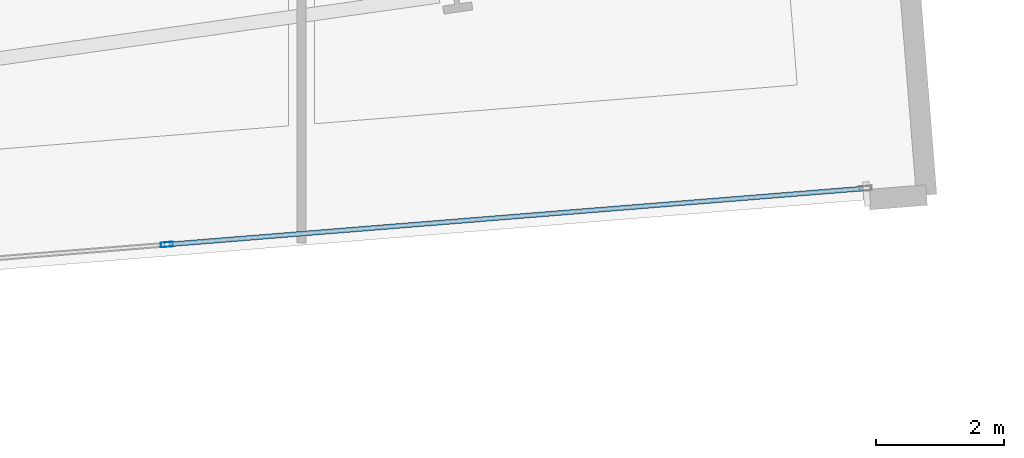
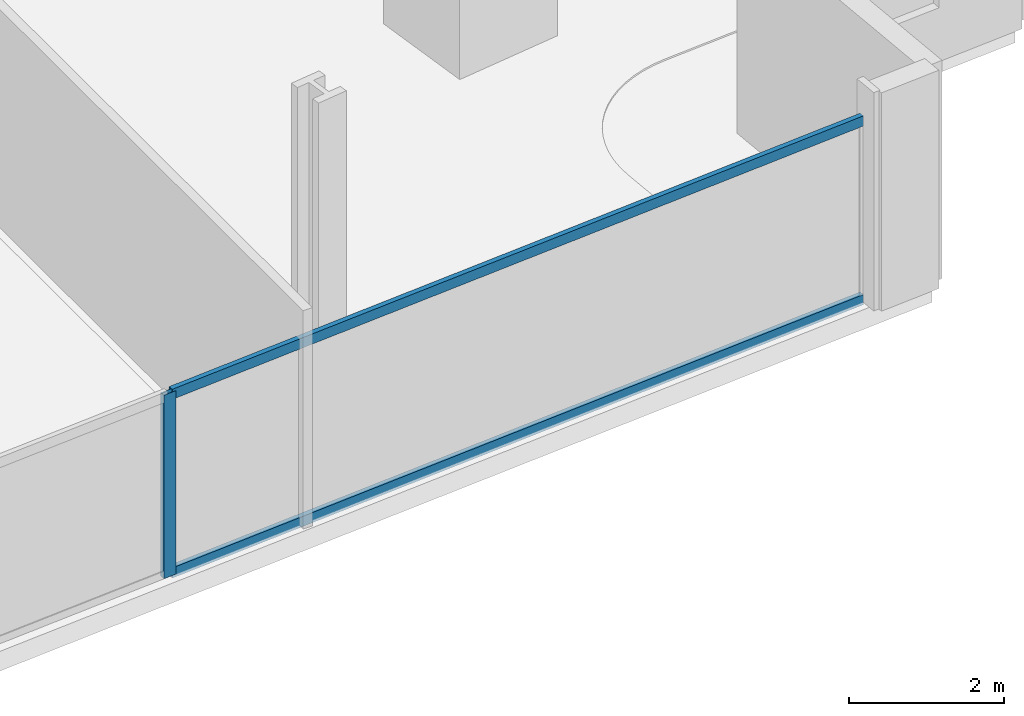
# One storey, part 9 of 33: 3 members, 1 element without a shape of its own.
"""IFC4 building model written with IfcOpenShell, lengths in metres."""

from ifc_helpers import new_model, si_unit, direction, frame, origin, origin_2d, place, context, subcontext, project, spatial, hollow_rectangle, extrude, material, material_profile, profile_set, type_object, element, aggregate, save


model = new_model("IFC4")

# Units and contexts
model_context = context("Model", 3, precision=1e-05, world=origin(), true_north=direction((0.0, 1.0)))
body_context = subcontext(model_context, "Body", "Model", "MODEL_VIEW")
ifc_project = project(units=[si_unit("LENGTHUNIT", "METRE"), si_unit("AREAUNIT", "SQUARE_METRE"), si_unit("VOLUMEUNIT", "CUBIC_METRE"), si_unit("PLANEANGLEUNIT", "RADIAN"), si_unit("MASSUNIT", "GRAM", prefix="KILO")], contexts=[model_context])

# Site, building, storey
site_placement = place(None, origin())
site = spatial("IfcSite", under=ifc_project, at=site_placement, CompositionType="ELEMENT")
building_placement = place(site_placement, origin())
building = spatial("IfcBuilding", under=site, at=building_placement, Name="Haldenkirk Collegiate Tower", CompositionType="ELEMENT")
storey_placement = place(building_placement, frame((0.0, 0.0, 43.949951171875)))
storey = spatial("IfcBuildingStorey", under=building, at=storey_placement, Name="L09", CompositionType="ELEMENT", Elevation=43.949951171875)

# Curtain wall, members
ifc_material = material(Name="Anodised architectural bronze aluminium", Category="aluminium")
curtain_wall_type = type_object("IfcCurtainWallType", Name="CW-SYS2-CONCAVE", PredefinedType="USERDEFINED", material=ifc_material)
curtain_wall_placement = place(storey_placement, origin())
curtain_wall = element("IfcCurtainWall", 1, at=curtain_wall_placement, inside=storey, type_object=curtain_wall_type, Name="L09 South concave recessed bronze-anodised curtain wall", ObjectType="UNITISED CURTAIN WALL", PredefinedType="USERDEFINED")
ifc_material_profile_1 = material_profile(ifc_material, hollow_rectangle(XDim=0.074951171875, YDim=0.18994140625, WallThickness=0.0048828125, at=origin_2d()), Name="CW-MUL-02")
ifc_profile_set_1 = profile_set([ifc_material_profile_1], Name="Anodised architectural bronze aluminium")
member_type_1 = type_object("IfcMemberType", Name="CW-MUL-02", PredefinedType="MULLION", material=ifc_profile_set_1)
member_1_placement = place(storey_placement, frame((48.9052734375, 2.13818359375, 0.0), z_axis=(0.0, 0.0, 1.0), x_axis=(0.08019865918, -0.99677889979, 0.0)))
member_1 = element("IfcMember", 2, at=member_1_placement, type_object=member_type_1, Name="CW-02 mullion 2", PredefinedType="MULLION", context=body_context, shape_type="SweptSolid", body=[
    extrude(hollow_rectangle(XDim=0.074951171875, YDim=0.18994140625, WallThickness=0.0048828125, at=origin_2d()), origin(), (0.0, 0.0, 1.0), 2.89111328125),
])
ifc_material_profile_2 = material_profile(ifc_material, hollow_rectangle(XDim=0.074951171875, YDim=0.159912109375, WallThickness=0.0048828125, at=origin_2d()), Name="CW-TRN-02")
ifc_profile_set_2 = profile_set([ifc_material_profile_2], Name="Anodised architectural bronze aluminium")
member_type_2 = type_object("IfcMemberType", Name="CW-TRN-02", PredefinedType="USERDEFINED", material=ifc_profile_set_2)
member_2_placement = place(storey_placement, frame((59.745361328125, 3.01025390625, 0.03759765625), z_axis=(-0.996779075733, -0.080196472374, 0.0), x_axis=(0.080196472374, -0.996779075733, 0.0)))
member_2 = element("IfcMember", 3, at=member_2_placement, type_object=member_type_2, Name="CW-02 transom 1.1", ObjectType="TRANSOM", PredefinedType="USERDEFINED", context=body_context, shape_type="SweptSolid", body=[
    extrude(hollow_rectangle(XDim=0.074951171875, YDim=0.159912109375, WallThickness=0.0048828125, at=origin_2d()), origin(), (0.0, 0.0, 1.0), 10.837646484375),
])
member_3_placement = place(storey_placement, frame((59.745361328125, 3.01025390625, 2.853515625), z_axis=(-0.996779075733, -0.080196472374, 0.0), x_axis=(0.080196472374, -0.996779075733, 0.0)))
member_3 = element("IfcMember", 4, at=member_3_placement, type_object=member_type_2, Name="CW-02 transom 1.2", ObjectType="TRANSOM", PredefinedType="USERDEFINED", context=body_context, shape_type="SweptSolid", body=[
    extrude(hollow_rectangle(XDim=0.074951171875, YDim=0.159912109375, WallThickness=0.0048828125, at=origin_2d()), origin(), (0.0, 0.0, 1.0), 10.837646484375),
])
aggregate(curtain_wall, [member_1, member_2, member_3])

save(model, "model.ifc")
